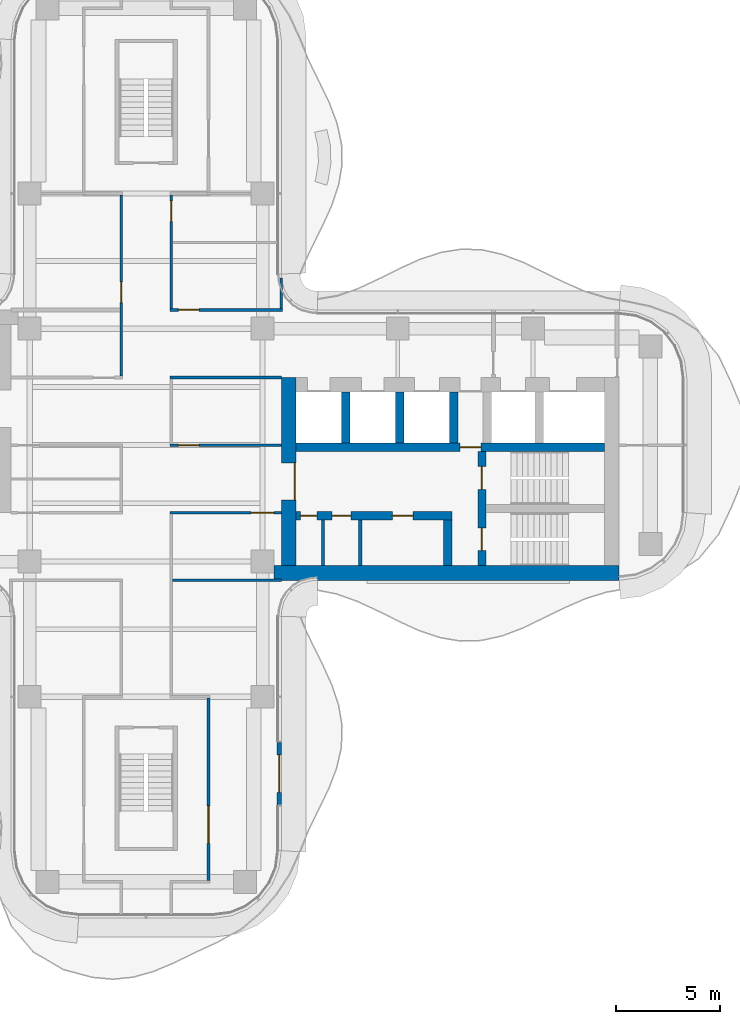
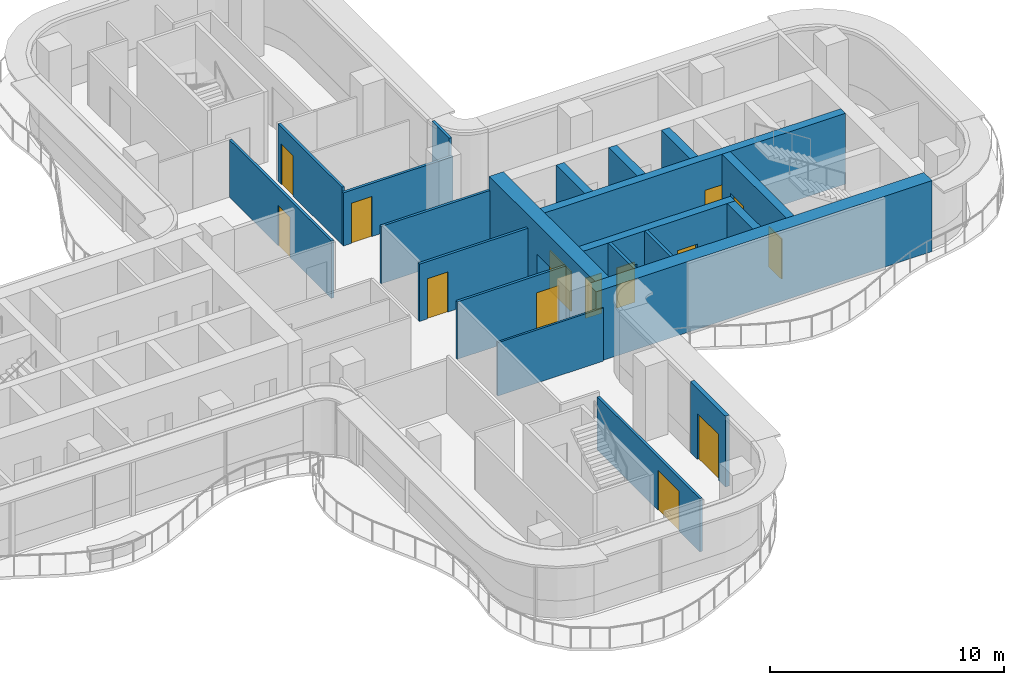
# One storey, part 12 of 16: 21 walls, 14 doors, 14 openings.
"""IFC4 building model written with IfcOpenShell, lengths in metres."""

import ifcopenshell
import ifcopenshell.guid

model = None  # the IFC model being written
_history = None  # IfcOwnerHistory: only IFC2X3 demands one
_inside = {}  # id of a spatial element -> (the spatial element, [elements in it])
_under = {}  # id of a project, library or spatial element -> (it, [spatial elements below it])
_declared = {}  # id of a project -> (the project, [libraries it declares])
_typed = {}  # id of a type object -> (the type object, [elements of that type])
_made_of = {}  # id of a material, layer set ... -> (it, [elements and type objects made of it])


def new_model(schema):
    """Start an empty IFC model of exactly this schema.

    Asked for "IFC4X3", IfcOpenShell would pick the latest addendum, in which some entities
    have other attributes; the version numbers below select the first issue.
    IFC2X3 requires an IfcOwnerHistory on every rooted entity: one is made here for all.
    """
    global model, _history
    if schema == "IFC4X3":
        model = ifcopenshell.file(schema_version=(4, 3, 0, 0))
    else:
        model = ifcopenshell.file(schema=schema)
    _inside.clear()
    _under.clear()
    _declared.clear()
    _typed.clear()
    _made_of.clear()
    _history = None
    if model.schema == "IFC2X3":
        org = make("IfcOrganization", Name="unknown")
        user = make(
            "IfcPersonAndOrganization",
            ThePerson=make("IfcPerson", FamilyName="unknown"),
            TheOrganization=org,
        )
        app = make(
            "IfcApplication",
            ApplicationDeveloper=org,
            Version="unknown",
            ApplicationFullName="unknown",
            ApplicationIdentifier="unknown",
        )
        _history = make(
            "IfcOwnerHistory",
            OwningUser=user,
            OwningApplication=app,
            ChangeAction="ADDED",
            CreationDate=0,
        )
    return model


def make(cls, **values):
    """One entity of the class cls with the attributes given. An attribute that is None is left unset."""
    return model.create_entity(
        cls, **{name: value for name, value in values.items() if value is not None}
    )


def rooted(cls, **values):
    """An entity with a GlobalId (a new one), such as an element, a storey or a relation."""
    return make(cls, GlobalId=ifcopenshell.guid.new(), OwnerHistory=_history, **values)


def si_unit(unit_type, name, prefix=None):
    """IfcSIUnit, for example si_unit("LENGTHUNIT", "METRE", prefix="MILLI")."""
    return make("IfcSIUnit", UnitType=unit_type, Prefix=prefix, Name=name)


def assignment(units):
    """IfcUnitAssignment: the units of a project."""
    return None if units is None else make("IfcUnitAssignment", Units=units)


def point(xyz):
    """IfcCartesianPoint."""
    return None if xyz is None else make("IfcCartesianPoint", Coordinates=xyz)


def direction(xyz):
    """IfcDirection."""
    return None if xyz is None else make("IfcDirection", DirectionRatios=xyz)


def frame(location, z_axis=None, x_axis=None):
    """IfcAxis2Placement3D, a coordinate frame: its origin and axes. An axis left out is left unset."""
    return make(
        "IfcAxis2Placement3D",
        Location=point(location),
        Axis=direction(z_axis),
        RefDirection=direction(x_axis),
    )


def frame_2d(location, x_axis=None):
    """IfcAxis2Placement2D, a coordinate frame in the plane: its origin and x axis."""
    return make(
        "IfcAxis2Placement2D", Location=point(location), RefDirection=direction(x_axis)
    )


def origin():
    """The frame at (0, 0, 0) with its axes left unset."""
    return frame((0.0, 0.0, 0.0))


def place(relative_to, where):
    """IfcLocalPlacement: puts the frame where relative to a parent placement (None: the world)."""
    return make(
        "IfcLocalPlacement", PlacementRelTo=relative_to, RelativePlacement=where
    )


def context(
    kind, dimensions, precision=None, world=None, true_north=None, identifier=None
):
    """IfcGeometricRepresentationContext, for example the 3D "Model" context."""
    return make(
        "IfcGeometricRepresentationContext",
        ContextIdentifier=identifier,
        ContextType=kind,
        CoordinateSpaceDimension=dimensions,
        Precision=precision,
        WorldCoordinateSystem=world,
        TrueNorth=true_north,
    )


def subcontext(parent, identifier, kind, view, scale=None):
    """IfcGeometricRepresentationSubContext, for example "Body" below "Model"."""
    return make(
        "IfcGeometricRepresentationSubContext",
        ContextIdentifier=identifier,
        ContextType=kind,
        ParentContext=parent,
        TargetScale=scale,
        TargetView=view,
    )


def project(units=None, contexts=None):
    """IfcProject with its units and contexts."""
    return rooted(
        "IfcProject",
        Name="project",
        RepresentationContexts=contexts,
        UnitsInContext=assignment(units),
    )


def spatial(cls, under=None, at=None, **own):
    """A site, building, storey or space (cls), placed at a placement, below another one or the project."""
    s = rooted(cls, ObjectPlacement=at, **own)
    if under is not None:
        _under.setdefault(under.id(), (under, []))[1].append(s)
    return s


def profile(cls, at=None, kind="AREA", **sizes):
    """A parametric profile (cls). Its sizes go by their IFC names, for example OverallWidth=200.0."""
    return make(cls, ProfileType=kind, Position=at, **sizes)


def rectangle(**sizes):
    """IfcRectangleProfileDef."""
    return profile("IfcRectangleProfileDef", **sizes)


def extrude(swept, where, along, depth):
    """IfcExtrudedAreaSolid: the profile swept, set in the frame where, extruded along a direction by depth."""
    return make(
        "IfcExtrudedAreaSolid",
        SweptArea=swept,
        Position=where,
        ExtrudedDirection=direction(along),
        Depth=depth,
    )


def shape(context_of_items, identifier, shape_type, items):
    """IfcShapeRepresentation: the items that make up one representation, for example the "Body"."""
    return make(
        "IfcShapeRepresentation",
        ContextOfItems=context_of_items,
        RepresentationIdentifier=identifier,
        RepresentationType=shape_type,
        Items=items,
    )


def source(mapping_origin, context_of_items, identifier, shape_type, items):
    """IfcRepresentationMap: a shape defined once, which mapped items show again and again."""
    return make(
        "IfcRepresentationMap",
        MappingOrigin=mapping_origin,
        MappedRepresentation=shape(context_of_items, identifier, shape_type, items),
    )


def transform(
    local_origin,
    x_axis=None,
    y_axis=None,
    z_axis=None,
    scale=None,
    scale2=None,
    scale3=None,
    uniform=True,
):
    """IfcCartesianTransformationOperator3D, or its non-uniform kind. x_axis, y_axis, z_axis: its Axis1, 2, 3."""
    if uniform:
        return make(
            "IfcCartesianTransformationOperator3D",
            Axis1=direction(x_axis),
            Axis2=direction(y_axis),
            LocalOrigin=point(local_origin),
            Scale=scale,
            Axis3=direction(z_axis),
        )
    return make(
        "IfcCartesianTransformationOperator3DnonUniform",
        Axis1=direction(x_axis),
        Axis2=direction(y_axis),
        LocalOrigin=point(local_origin),
        Scale=scale,
        Axis3=direction(z_axis),
        Scale2=scale2,
        Scale3=scale3,
    )


def mapped(mapping_source, mapping_target):
    """IfcMappedItem: shows the shape of a source again, moved by a transform."""
    return make(
        "IfcMappedItem", MappingSource=mapping_source, MappingTarget=mapping_target
    )


def material(Name=None, Category=None):
    """IfcMaterial."""
    return make("IfcMaterial", Name=Name, Category=Category)


def layer(
    of_material, thickness, ventilated=None, Name=None, Category=None, Priority=None
):
    """IfcMaterialLayer: one layer of a wall or slab, of a material (None: an air gap)."""
    return make(
        "IfcMaterialLayer",
        Material=of_material,
        LayerThickness=thickness,
        IsVentilated=ventilated,
        Name=Name,
        Category=Category,
        Priority=Priority,
    )


def layer_set(layers, Name=None):
    """IfcMaterialLayerSet."""
    return make("IfcMaterialLayerSet", MaterialLayers=layers, LayerSetName=Name)


def made_of(thing, what):
    """Note that an element or type object is made of a material, layer set ...; save() writes the relation."""
    if what is not None:
        _made_of.setdefault(what.id(), (what, []))[1].append(thing)
    return thing


def type_object(cls, material=None, **own):
    """A type object (cls), such as IfcWallType, which elements share."""
    return made_of(rooted(cls, **own), material)


def element(
    cls,
    number,
    at=None,
    inside=None,
    cuts=None,
    type_object=None,
    material=None,
    context=None,
    identifier="Body",
    shape_type=None,
    held_by="IfcProductDefinitionShape",
    body=None,
    shapes=None,
    **own,
):
    """One element of the class cls, such as IfcWall. Its Tag is "e" and its number.

    at: its placement. inside: the storey or other place that contains it. cuts: it is an
    opening in that element (IfcRelVoidsElement). A single representation is given by context,
    identifier, shape_type and body (its items); several are given by shapes. held_by: the class
    of the entity that holds the representations. save() writes the other relations.
    """
    e = rooted(cls, Tag="e%d" % number, ObjectPlacement=at, **own)
    if body is not None:
        shapes = [shape(context, identifier, shape_type, body)]
    if shapes is not None:
        e.Representation = make(held_by, Representations=shapes)
    if inside is not None:
        _inside.setdefault(inside.id(), (inside, []))[1].append(e)
    if cuts is not None:
        rooted(
            "IfcRelVoidsElement", RelatingBuildingElement=cuts, RelatedOpeningElement=e
        )
    if type_object is not None:
        _typed.setdefault(type_object.id(), (type_object, []))[1].append(e)
    return made_of(e, material)


def fill(opening, filler):
    """IfcRelFillsElement: the door or window that sits in an opening."""
    return rooted(
        "IfcRelFillsElement",
        RelatingOpeningElement=opening,
        RelatedBuildingElement=filler,
    )


def aggregate(whole, parts):
    """IfcRelAggregates: a whole, such as a stair, and the parts it consists of."""
    return rooted("IfcRelAggregates", RelatingObject=whole, RelatedObjects=parts)


def save(model, path):
    """Write the relations noted so far, then the file.

    IfcRelAggregates (storeys below a building ...), IfcRelContainedInSpatialStructure (elements
    in a storey), IfcRelDefinesByType, IfcRelAssociatesMaterial and IfcRelDeclares: one each for
    every whole, place, type object, material and project.
    """
    for whole, parts in _under.values():
        aggregate(whole, parts)
    for where, things in _inside.values():
        rooted(
            "IfcRelContainedInSpatialStructure",
            RelatedElements=things,
            RelatingStructure=where,
        )
    for kind, things in _typed.values():
        rooted("IfcRelDefinesByType", RelatedObjects=things, RelatingType=kind)
    for what, things in _made_of.values():
        rooted("IfcRelAssociatesMaterial", RelatedObjects=things, RelatingMaterial=what)
    for by, libraries in _declared.values():
        rooted("IfcRelDeclares", RelatingContext=by, RelatedDefinitions=libraries)
    model.write(path)


model = new_model("IFC4")

# Units and contexts
model_context = context("Model", 3, precision=1e-05, world=origin(), true_north=direction((0.0, 1.0)))
body_context = subcontext(model_context, "Body", "Model", "MODEL_VIEW")
ifc_project = project(units=[si_unit("LENGTHUNIT", "METRE"), si_unit("AREAUNIT", "SQUARE_METRE"), si_unit("VOLUMEUNIT", "CUBIC_METRE"), si_unit("PLANEANGLEUNIT", "RADIAN"), si_unit("MASSUNIT", "GRAM", prefix="KILO")], contexts=[model_context])

# Site, building, storey
site_placement = place(None, origin())
site = spatial("IfcSite", under=ifc_project, at=site_placement, CompositionType="ELEMENT")
building_placement = place(site_placement, origin())
building = spatial("IfcBuilding", under=site, at=building_placement, Name="Trellis Farm Tower", CompositionType="ELEMENT")
storey_placement = place(building_placement, frame((0.0, 0.0, 251.89990234375)))
storey = spatial("IfcBuildingStorey", under=building, at=storey_placement, Name="L56", CompositionType="ELEMENT", Elevation=251.89990234375)

# Wall, opening, door
ifc_material_1 = material(Name="Concrete C60/75", Category="concrete")
ifc_layer_1 = layer(ifc_material_1, 0.699951171875)
ifc_layer_set_1 = layer_set([ifc_layer_1], Name="CORE OUTER WALL 700 CONCRETE C60/75")
wall_type_1 = type_object("IfcWallType", Name="CORE OUTER WALL 700 CONCRETE C60/75", PredefinedType="SHEAR", material=ifc_layer_set_1)
shared_shape_1 = source(origin(), body_context, "Body", "SweptSolid", [
    extrude(rectangle(XDim=9.050048828125, YDim=0.699951171875, at=frame_2d((4.52490234375, 0.0))), origin(), (0.0, 0.0, 1.0), 3.7001953125),
])
wall_1_placement = place(storey_placement, frame((6.85009765625, -5.800048828125, 0.0), z_axis=(0.0, 0.0, 1.0), x_axis=(0.0, 1.0, 0.0)))
wall_1 = element("IfcWall", 1, at=wall_1_placement, inside=storey, type_object=wall_type_1, Name="Core wall", PredefinedType="SHEAR", context=body_context, shape_type="MappedRepresentation", body=[
    mapped(shared_shape_1, transform((0.0, 0.0, 0.0))),
])
shared_shape_2 = source(origin(), body_context, "Body", "SweptSolid", [
    extrude(rectangle(XDim=1.800048828125, YDim=2.10009765625, at=frame_2d((0.89990234375, 1.050048828125))), frame((0.0, 0.360107421875, 0.0), z_axis=(0.0, -1.0, 0.0), x_axis=(1.0, 0.0, 0.0)), (0.0, 0.0, 1.0), 0.72021484375),
])
opening_1_placement = place(wall_1_placement, frame((3.14990234375, 0.0, 0.0)))
opening_1 = element("IfcOpeningElement", 2, at=opening_1_placement, cuts=wall_1, Name="Opening DC1", PredefinedType="OPENING", context=body_context, shape_type="MappedRepresentation", body=[
    mapped(shared_shape_2, transform((0.0, 0.0, 0.0))),
])
ifc_material_2 = material(Name="Steel", Category="steel")
door_type_1 = type_object("IfcDoorType", Name="CORE FIRE DOOR DOUBLE 1800 X 2100", OperationType="DOUBLE_DOOR_SINGLE_SWING", PredefinedType="DOOR", material=ifc_material_2)
shared_shape_3 = source(origin(), body_context, "Body", "SweptSolid", [
    extrude(rectangle(XDim=1.800048828125, YDim=2.10009765625, at=frame_2d((0.89990234375, 1.050048828125))), frame((0.0, -0.27490234375, 0.0), z_axis=(0.0, -1.0, 0.0), x_axis=(1.0, 0.0, 0.0)), (0.0, 0.0, 1.0), 0.050048828125),
])
door_1_placement = place(opening_1_placement, origin())
door_1 = element("IfcDoor", 3, at=door_1_placement, inside=storey, type_object=door_type_1, Name="Core door", OperationType="DOUBLE_DOOR_SINGLE_SWING", OverallHeight=2.10009765625, OverallWidth=1.800048828125, PredefinedType="DOOR", context=body_context, shape_type="MappedRepresentation", body=[
    mapped(shared_shape_3, transform((0.0, 0.0, 0.0))),
])
fill(opening_1, door_1)

# Walls
ifc_layer_2 = layer(ifc_material_1, 0.39990234375)
ifc_layer_set_2 = layer_set([ifc_layer_2], Name="CORE INNER WALL 400 CONCRETE C60/75")
wall_type_2 = type_object("IfcWallType", Name="CORE INNER WALL 400 CONCRETE C60/75", PredefinedType="SHEAR", material=ifc_layer_set_2)
shared_shape_4 = source(origin(), body_context, "Body", "SweptSolid", [
    extrude(rectangle(XDim=2.449951171875, YDim=0.39990234375, at=frame_2d((1.22509765625, 0.0))), origin(), (0.0, 0.0, 1.0), 3.7001953125),
])
for number, where, z_axis, x_axis, name in (
    (4, (9.60009765625, 0.10009765625, 0.0), (0.0, 0.0, 1.0), (0.0, 1.0, 0.0), "Core wall"),
    (5, (12.199951171875, 0.10009765625, 0.0), (0.0, 0.0, 1.0), (0.0, 1.0, 0.0), "Core wall"),
    (6, (14.800048828125, 0.10009765625, 0.0), (0.0, 0.0, 1.0), (0.0, 1.0, 0.0), "Core wall"),
):
    element("IfcWall", number, at=place(storey_placement, frame(where, z_axis=z_axis, x_axis=x_axis)), inside=storey, type_object=wall_type_2, Name=name, PredefinedType="SHEAR", context=body_context, shape_type="MappedRepresentation", body=[
        mapped(shared_shape_4, transform((0.0, 0.0, 0.0))),
    ])

# Wall, openings, doors
shared_shape_5 = source(origin(), body_context, "Body", "SweptSolid", [
    extrude(rectangle(XDim=7.5, YDim=0.39990234375, at=frame_2d((3.75, 0.0))), origin(), (0.0, 0.0, 1.0), 3.7001953125),
])
wall_2_placement = place(storey_placement, frame((7.199951171875, -3.39990234375, 0.0), z_axis=(0.0, 0.0, 1.0), x_axis=(1.0, 0.0, 0.0)))
wall_2 = element("IfcWall", 7, at=wall_2_placement, inside=storey, type_object=wall_type_2, Name="Core wall", PredefinedType="SHEAR", context=body_context, shape_type="MappedRepresentation", body=[
    mapped(shared_shape_5, transform((0.0, 0.0, 0.0))),
])
shared_shape_6 = source(origin(), body_context, "Body", "SweptSolid", [
    extrude(rectangle(XDim=0.800048828125, YDim=2.10009765625, at=frame_2d((0.39990234375, 1.050048828125))), frame((0.0, 0.2099609375, 0.0), z_axis=(0.0, -1.0, 0.0), x_axis=(1.0, 0.0, 0.0)), (0.0, 0.0, 1.0), 0.419921875),
])
opening_2_placement = place(wall_2_placement, frame((0.21240234375, 0.0, 0.0)))
opening_2 = element("IfcOpeningElement", 8, at=opening_2_placement, cuts=wall_2, Name="Opening DC51", PredefinedType="OPENING", context=body_context, shape_type="MappedRepresentation", body=[
    mapped(shared_shape_6, transform((0.0, 0.0, 0.0))),
])
shared_shape_7 = source(origin(), body_context, "Body", "SweptSolid", [
    extrude(rectangle(XDim=0.89990234375, YDim=2.10009765625, at=frame_2d((0.449951171875, 1.050048828125))), frame((0.0, 0.2099609375, 0.0), z_axis=(0.0, -1.0, 0.0), x_axis=(1.0, 0.0, 0.0)), (0.0, 0.0, 1.0), 0.419921875),
])
opening_3_placement = place(wall_2_placement, frame((1.75, 0.0, 0.0)))
opening_3 = element("IfcOpeningElement", 9, at=opening_3_placement, cuts=wall_2, Name="Opening DC60", PredefinedType="OPENING", context=body_context, shape_type="MappedRepresentation", body=[
    mapped(shared_shape_7, transform((0.0, 0.0, 0.0))),
])
shared_shape_8 = source(origin(), body_context, "Body", "SweptSolid", [
    extrude(rectangle(XDim=1.0, YDim=2.10009765625, at=frame_2d((0.5, 1.050048828125))), frame((0.0, 0.2099609375, 0.0), z_axis=(0.0, -1.0, 0.0), x_axis=(1.0, 0.0, 0.0)), (0.0, 0.0, 1.0), 0.419921875),
])
opening_4_placement = place(wall_2_placement, frame((4.637451171875, 0.0, 0.0)))
opening_4 = element("IfcOpeningElement", 10, at=opening_4_placement, cuts=wall_2, Name="Opening DC67", PredefinedType="OPENING", context=body_context, shape_type="MappedRepresentation", body=[
    mapped(shared_shape_8, transform((0.0, 0.0, 0.0))),
])
door_type_2 = type_object("IfcDoorType", Name="CORE FIRE DOOR 1000 X 2100", OperationType="NOTDEFINED", PredefinedType="DOOR", material=ifc_material_2)
shared_shape_9 = source(origin(), body_context, "Body", "SweptSolid", [
    extrude(rectangle(XDim=1.0, YDim=2.10009765625, at=frame_2d((0.5, 1.050048828125))), frame((0.0, 0.02490234375, 0.0), z_axis=(0.0, -1.0, 0.0), x_axis=(1.0, 0.0, 0.0)), (0.0, 0.0, 1.0), 0.050048828125),
])
door_2_placement = place(opening_4_placement, origin())
door_2 = element("IfcDoor", 11, at=door_2_placement, inside=storey, type_object=door_type_2, Name="Core door", OperationType="SINGLE_SWING_LEFT", OverallHeight=2.10009765625, OverallWidth=1.0, PredefinedType="DOOR", context=body_context, shape_type="MappedRepresentation", body=[
    mapped(shared_shape_9, transform((0.0, 0.0, 0.0))),
])
fill(opening_4, door_2)
door_type_3 = type_object("IfcDoorType", Name="CORE FIRE DOOR 900 X 2100", OperationType="NOTDEFINED", PredefinedType="DOOR", material=ifc_material_2)
shared_shape_10 = source(origin(), body_context, "Body", "SweptSolid", [
    extrude(rectangle(XDim=0.89990234375, YDim=2.10009765625, at=frame_2d((0.449951171875, 1.050048828125))), frame((0.0, 0.02490234375, 0.0), z_axis=(0.0, -1.0, 0.0), x_axis=(1.0, 0.0, 0.0)), (0.0, 0.0, 1.0), 0.050048828125),
])
door_3_placement = place(opening_3_placement, origin())
door_3 = element("IfcDoor", 12, at=door_3_placement, inside=storey, type_object=door_type_3, Name="Core door", OperationType="SINGLE_SWING_RIGHT", OverallHeight=2.10009765625, OverallWidth=0.89990234375, PredefinedType="DOOR", context=body_context, shape_type="MappedRepresentation", body=[
    mapped(shared_shape_10, transform((0.0, 0.0, 0.0))),
])
fill(opening_3, door_3)
door_type_4 = type_object("IfcDoorType", Name="CORE FIRE DOOR 800 X 2100", OperationType="NOTDEFINED", PredefinedType="DOOR", material=ifc_material_2)
shared_shape_11 = source(origin(), body_context, "Body", "SweptSolid", [
    extrude(rectangle(XDim=0.800048828125, YDim=2.10009765625, at=frame_2d((0.39990234375, 1.050048828125))), frame((0.0, 0.02490234375, 0.0), z_axis=(0.0, -1.0, 0.0), x_axis=(1.0, 0.0, 0.0)), (0.0, 0.0, 1.0), 0.050048828125),
])
door_4_placement = place(opening_2_placement, origin())
door_4 = element("IfcDoor", 13, at=door_4_placement, inside=storey, type_object=door_type_4, Name="Core door", OperationType="SINGLE_SWING_LEFT", OverallHeight=2.10009765625, OverallWidth=0.800048828125, PredefinedType="DOOR", context=body_context, shape_type="MappedRepresentation", body=[
    mapped(shared_shape_11, transform((0.0, 0.0, 0.0))),
])
fill(opening_2, door_4)

# Wall, opening, door
shared_shape_12 = source(origin(), body_context, "Body", "SweptSolid", [
    extrude(rectangle(XDim=14.85009765625, YDim=0.39990234375, at=frame_2d((7.425048828125, 0.0))), origin(), (0.0, 0.0, 1.0), 3.7001953125),
])
wall_3_placement = place(storey_placement, frame((7.199951171875, -0.10009765625, 0.0), z_axis=(0.0, 0.0, 1.0), x_axis=(1.0, 0.0, 0.0)))
wall_3 = element("IfcWall", 14, at=wall_3_placement, inside=storey, type_object=wall_type_2, Name="Core wall", PredefinedType="SHEAR", context=body_context, shape_type="MappedRepresentation", body=[
    mapped(shared_shape_12, transform((0.0, 0.0, 0.0))),
])
opening_5_placement = place(wall_3_placement, frame((7.89990234375, 0.0, 0.0)))
opening_5 = element("IfcOpeningElement", 15, at=opening_5_placement, cuts=wall_3, Name="Opening DC5", PredefinedType="OPENING", context=body_context, shape_type="MappedRepresentation", body=[
    mapped(shared_shape_8, transform((0.0, 0.0, 0.0))),
])
door_5_placement = place(opening_5_placement, origin())
door_5 = element("IfcDoor", 16, at=door_5_placement, inside=storey, type_object=door_type_2, Name="Core door", OperationType="SINGLE_SWING_RIGHT", OverallHeight=2.10009765625, OverallWidth=1.0, PredefinedType="DOOR", context=body_context, shape_type="MappedRepresentation", body=[
    mapped(shared_shape_9, transform((0.0, 0.0, 0.0))),
])
fill(opening_5, door_5)

# Wall, openings, doors
shared_shape_13 = source(origin(), body_context, "Body", "SweptSolid", [
    extrude(rectangle(XDim=5.5, YDim=0.39990234375, at=frame_2d((2.75, 0.0))), origin(), (0.0, 0.0, 1.0), 3.7001953125),
])
wall_4_placement = place(storey_placement, frame((16.14990234375, -5.800048828125, 0.0), z_axis=(0.0, 0.0, 1.0), x_axis=(0.0, 1.0, 0.0)))
wall_4 = element("IfcWall", 17, at=wall_4_placement, inside=storey, type_object=wall_type_2, Name="Core wall", PredefinedType="SHEAR", context=body_context, shape_type="MappedRepresentation", body=[
    mapped(shared_shape_13, transform((0.0, 0.0, 0.0))),
])
shared_shape_14 = source(origin(), body_context, "Body", "SweptSolid", [
    extrude(rectangle(XDim=1.10009765625, YDim=2.10009765625, at=frame_2d((0.550048828125, 1.050048828125))), frame((0.0, 0.2099609375, 0.0), z_axis=(0.0, -1.0, 0.0), x_axis=(1.0, 0.0, 0.0)), (0.0, 0.0, 1.0), 0.419921875),
])
opening_6_placement = place(wall_4_placement, frame((0.72509765625, 0.0, 0.0)))
opening_6 = element("IfcOpeningElement", 18, at=opening_6_placement, cuts=wall_4, Name="Opening DC2", PredefinedType="OPENING", context=body_context, shape_type="MappedRepresentation", body=[
    mapped(shared_shape_14, transform((0.0, 0.0, 0.0))),
])
opening_7_placement = place(wall_4_placement, frame((3.675048828125, 0.0, 0.0)))
opening_7 = element("IfcOpeningElement", 19, at=opening_7_placement, cuts=wall_4, Name="Opening DC3", PredefinedType="OPENING", context=body_context, shape_type="MappedRepresentation", body=[
    mapped(shared_shape_14, transform((0.0, 0.0, 0.0))),
])
door_type_5 = type_object("IfcDoorType", Name="CORE FIRE DOOR 1100 X 2100", OperationType="NOTDEFINED", PredefinedType="DOOR", material=ifc_material_2)
shared_shape_15 = source(origin(), body_context, "Body", "SweptSolid", [
    extrude(rectangle(XDim=1.10009765625, YDim=2.10009765625, at=frame_2d((0.550048828125, 1.050048828125))), frame((0.0, 0.02490234375, 0.0), z_axis=(0.0, -1.0, 0.0), x_axis=(1.0, 0.0, 0.0)), (0.0, 0.0, 1.0), 0.050048828125),
])
door_6_placement = place(opening_6_placement, origin())
door_6 = element("IfcDoor", 20, at=door_6_placement, inside=storey, type_object=door_type_5, Name="Core door", OperationType="SINGLE_SWING_RIGHT", OverallHeight=2.10009765625, OverallWidth=1.10009765625, PredefinedType="DOOR", context=body_context, shape_type="MappedRepresentation", body=[
    mapped(shared_shape_15, transform((0.0, 0.0, 0.0))),
])
fill(opening_6, door_6)
door_7_placement = place(opening_7_placement, origin())
door_7 = element("IfcDoor", 21, at=door_7_placement, inside=storey, type_object=door_type_5, Name="Core door", OperationType="SINGLE_SWING_LEFT", OverallHeight=2.10009765625, OverallWidth=1.10009765625, PredefinedType="DOOR", context=body_context, shape_type="MappedRepresentation", body=[
    mapped(shared_shape_15, transform((0.0, 0.0, 0.0))),
])
fill(opening_7, door_7)

# Walls
shared_shape_16 = source(origin(), body_context, "Body", "SweptSolid", [
    extrude(rectangle(XDim=2.199951171875, YDim=0.39990234375, at=frame_2d((1.10009765625, 0.0))), origin(), (0.0, 0.0, 1.0), 3.7001953125),
])
wall_5_placement = place(storey_placement, frame((14.5, -5.800048828125, 0.0), z_axis=(0.0, 0.0, 1.0), x_axis=(0.0, 1.0, 0.0)))
element("IfcWall", 22, at=wall_5_placement, inside=storey, type_object=wall_type_2, Name="Core wall", PredefinedType="SHEAR", context=body_context, shape_type="MappedRepresentation", body=[
    mapped(shared_shape_16, transform((0.0, 0.0, 0.0))),
])
ifc_material_3 = material(Name="Masonry blockwork", Category="masonry")
ifc_layer_3 = layer(ifc_material_3, 0.14990234375)
ifc_layer_set_3 = layer_set([ifc_layer_3], Name="CORE PARTITION 150 BLOCKWORK")
wall_type_3 = type_object("IfcWallType", Name="CORE PARTITION 150 BLOCKWORK", PredefinedType="PARTITIONING", material=ifc_layer_set_3)
shared_shape_17 = source(origin(), body_context, "Body", "SweptSolid", [
    extrude(rectangle(XDim=2.199951171875, YDim=0.14990234375, at=frame_2d((1.10009765625, 0.0))), origin(), (0.0, 0.0, 1.0), 3.7001953125),
])
for number, where, z_axis, x_axis, name in (
    (23, (8.5, -5.800048828125, 0.0), (0.0, 0.0, 1.0), (0.0, 1.0, 0.0), "Core room partition"),
    (24, (10.300048828125, -5.800048828125, 0.0), (0.0, 0.0, 1.0), (0.0, 1.0, 0.0), "Core room partition"),
):
    element("IfcWall", number, at=place(storey_placement, frame(where, z_axis=z_axis, x_axis=x_axis)), inside=storey, type_object=wall_type_3, Name=name, PredefinedType="PARTITIONING", context=body_context, shape_type="MappedRepresentation", body=[
        mapped(shared_shape_17, transform((0.0, 0.0, 0.0))),
    ])
shared_shape_18 = source(origin(), body_context, "Body", "SweptSolid", [
    extrude(rectangle(XDim=16.60009765625, YDim=0.699951171875, at=frame_2d((8.300048828125, 0.0))), origin(), (0.0, 0.0, 1.0), 3.7001953125),
])
wall_6_placement = place(storey_placement, frame((6.14990234375, -6.14990234375, 0.0), z_axis=(0.0, 0.0, 1.0), x_axis=(1.0, 0.0, 0.0)))
element("IfcWall", 25, at=wall_6_placement, inside=storey, type_object=wall_type_1, Name="Core wall", PredefinedType="SHEAR", context=body_context, shape_type="MappedRepresentation", body=[
    mapped(shared_shape_18, transform((0.0, 0.0, 0.0))),
])

# Wall, opening, door
ifc_material_4 = material(Name="Sandstone faced insulated wall", Category="masonry")
ifc_layer_4 = layer(ifc_material_4, 0.199951171875)
ifc_layer_set_4 = layer_set([ifc_layer_4], Name="EXTERNAL INFILL WALL 200")
wall_type_4 = type_object("IfcWallType", Name="EXTERNAL INFILL WALL 200", PredefinedType="SOLIDWALL", material=ifc_layer_set_4)
shared_shape_19 = source(origin(), body_context, "Body", "SweptSolid", [
    extrude(rectangle(XDim=3.0, YDim=0.199951171875, at=frame_2d((1.5, 0.0))), origin(), (0.0, 0.0, 1.0), 3.7001953125),
])
wall_7_placement = place(storey_placement, frame((6.39990234375, -17.300048828125, 0.0), z_axis=(0.0, 0.0, 1.0), x_axis=(0.0, 1.0, 0.0)))
wall_7 = element("IfcWall", 26, at=wall_7_placement, inside=storey, type_object=wall_type_4, Name="EW1 01", PredefinedType="SOLIDWALL", context=body_context, shape_type="MappedRepresentation", body=[
    mapped(shared_shape_19, transform((0.0, 0.0, 0.0))),
])
shared_shape_20 = source(origin(), body_context, "Body", "SweptSolid", [
    extrude(rectangle(XDim=1.800048828125, YDim=2.39990234375, at=frame_2d((0.89990234375, 1.199951171875))), frame((0.0, 0.110107421875, 0.0), z_axis=(0.0, -1.0, 0.0), x_axis=(1.0, 0.0, 0.0)), (0.0, 0.0, 1.0), 0.22021484375),
])
opening_8_placement = place(wall_7_placement, frame((0.60009765625, 0.0, 0.0)))
opening_8 = element("IfcOpeningElement", 27, at=opening_8_placement, cuts=wall_7, Name="Opening ED1", PredefinedType="OPENING", context=body_context, shape_type="MappedRepresentation", body=[
    mapped(shared_shape_20, transform((0.0, 0.0, 0.0))),
])
ifc_material_5 = material(Name="Aluminium framed glazed door", Category="aluminium")
door_type_6 = type_object("IfcDoorType", Name="BALCONY DOOR 1800x2400", OperationType="DOUBLE_DOOR_SINGLE_SWING", PredefinedType="DOOR", material=ifc_material_5)
shared_shape_21 = source(origin(), body_context, "Body", "SweptSolid", [
    extrude(rectangle(XDim=1.800048828125, YDim=2.39990234375, at=frame_2d((0.89990234375, 1.199951171875))), frame((0.0, 0.02490234375, 0.0), z_axis=(0.0, -1.0, 0.0), x_axis=(1.0, 0.0, 0.0)), (0.0, 0.0, 1.0), 0.050048828125),
])
door_8_placement = place(opening_8_placement, origin())
door_8 = element("IfcDoor", 28, at=door_8_placement, inside=storey, type_object=door_type_6, Name="Balcony door", OperationType="DOUBLE_DOOR_SINGLE_SWING", OverallHeight=2.39990234375, OverallWidth=1.800048828125, PredefinedType="DOOR", context=body_context, shape_type="MappedRepresentation", body=[
    mapped(shared_shape_21, transform((0.0, 0.0, 0.0))),
])
fill(opening_8, door_8)

ifc_material_6 = material(Name="Plasterboard on steel studs, mineral wool", Category="steel")
ifc_layer_5 = layer(ifc_material_6, 0.125)
ifc_layer_set_5 = layer_set([ifc_layer_5], Name="PARTITION 125 STUD EI 60")
wall_type_5 = type_object("IfcWallType", Name="PARTITION 125 STUD EI 60", PredefinedType="PARTITIONING", material=ifc_layer_set_5)
shared_shape_22 = source(origin(), body_context, "Body", "SweptSolid", [
    extrude(rectangle(XDim=5.47509765625, YDim=0.125, at=frame_2d((2.737548828125, 0.0))), origin(), (0.0, 0.0, 1.0), 2.99658203125),
])
wall_8_placement = place(storey_placement, frame((1.199951171875, 12.03759765625, 0.0), z_axis=(0.0, 0.0, 1.0), x_axis=(0.0, -1.0, 0.0)))
wall_8 = element("IfcWall", 29, at=wall_8_placement, inside=storey, type_object=wall_type_5, Name="Partition PW1", PredefinedType="PARTITIONING", context=body_context, shape_type="MappedRepresentation", body=[
    mapped(shared_shape_22, transform((0.0, 0.0, 0.0))),
])
shared_shape_23 = source(origin(), body_context, "Body", "SweptSolid", [
    extrude(rectangle(XDim=1.0, YDim=2.10009765625, at=frame_2d((0.5, 1.050048828125))), frame((0.0, 0.072509765625, 0.0), z_axis=(0.0, -1.0, 0.0), x_axis=(1.0, 0.0, 0.0)), (0.0, 0.0, 1.0), 0.14501953125),
])
opening_9_placement = place(wall_8_placement, frame((0.28759765625, 0.0, 0.0)))
opening_9 = element("IfcOpeningElement", 30, at=opening_9_placement, cuts=wall_8, Name="Opening D107", PredefinedType="OPENING", context=body_context, shape_type="MappedRepresentation", body=[
    mapped(shared_shape_23, transform((0.0, 0.0, 0.0))),
])
ifc_material_7 = material(Name="Fire-rated timber door leaf in a hollow metal frame", Category="wood")
door_type_7 = type_object("IfcDoorType", Name="DOOR 1000x2100 FD30S", OperationType="NOTDEFINED", PredefinedType="DOOR", material=ifc_material_7)
door_9_placement = place(opening_9_placement, origin())
door_9 = element("IfcDoor", 31, at=door_9_placement, inside=storey, type_object=door_type_7, Name="Door D107", OperationType="SINGLE_SWING_LEFT", OverallHeight=2.10009765625, OverallWidth=1.0, PredefinedType="DOOR", context=body_context, shape_type="MappedRepresentation", body=[
    mapped(shared_shape_9, transform((0.0, 0.0, 0.0))),
])
fill(opening_9, door_9)

shared_shape_24 = source(origin(), body_context, "Body", "SweptSolid", [
    extrude(rectangle(XDim=5.362548828125, YDim=0.125, at=frame_2d((2.68115234375, 0.0))), origin(), (0.0, 0.0, 1.0), 2.99658203125),
])
wall_9_placement = place(storey_placement, frame((6.5, -3.25, 0.0), z_axis=(0.0, 0.0, 1.0), x_axis=(-1.0, 0.0, 0.0)))
wall_9 = element("IfcWall", 32, at=wall_9_placement, inside=storey, type_object=wall_type_5, Name="Partition PW1", PredefinedType="PARTITIONING", context=body_context, shape_type="MappedRepresentation", body=[
    mapped(shared_shape_24, transform((0.0, 0.0, 0.0))),
])
shared_shape_25 = source(origin(), body_context, "Body", "SweptSolid", [
    extrude(rectangle(XDim=1.10009765625, YDim=2.10009765625, at=frame_2d((0.550048828125, 1.050048828125))), frame((0.0, 0.072509765625, 0.0), z_axis=(0.0, -1.0, 0.0), x_axis=(1.0, 0.0, 0.0)), (0.0, 0.0, 1.0), 0.14501953125),
])
opening_10_placement = place(wall_9_placement, frame((0.35009765625, 0.0, 0.0)))
opening_10 = element("IfcOpeningElement", 33, at=opening_10_placement, cuts=wall_9, Name="Opening D501", PredefinedType="OPENING", context=body_context, shape_type="MappedRepresentation", body=[
    mapped(shared_shape_25, transform((0.0, 0.0, 0.0))),
])
door_type_8 = type_object("IfcDoorType", Name="DOOR 1100x2100 FD30S", OperationType="NOTDEFINED", PredefinedType="DOOR", material=ifc_material_7)
door_10_placement = place(opening_10_placement, origin())
door_10 = element("IfcDoor", 34, at=door_10_placement, inside=storey, type_object=door_type_8, Name="Door D501", OperationType="SINGLE_SWING_LEFT", OverallHeight=2.10009765625, OverallWidth=1.10009765625, PredefinedType="DOOR", context=body_context, shape_type="MappedRepresentation", body=[
    mapped(shared_shape_15, transform((0.0, 0.0, 0.0))),
])
fill(opening_10, door_10)

wall_10_placement = place(storey_placement, frame((6.5, 0.0, 0.0), z_axis=(0.0, 0.0, 1.0), x_axis=(-1.0, 0.0, 0.0)))
wall_10 = element("IfcWall", 35, at=wall_10_placement, inside=storey, type_object=wall_type_5, Name="Partition PW1", PredefinedType="PARTITIONING", context=body_context, shape_type="MappedRepresentation", body=[
    mapped(shared_shape_24, transform((0.0, 0.0, 0.0))),
])
opening_11_placement = place(wall_10_placement, frame((3.949951171875, 0.0, 0.0)))
opening_11 = element("IfcOpeningElement", 36, at=opening_11_placement, cuts=wall_10, Name="Opening D103", PredefinedType="OPENING", context=body_context, shape_type="MappedRepresentation", body=[
    mapped(shared_shape_23, transform((0.0, 0.0, 0.0))),
])
door_11_placement = place(opening_11_placement, origin())
door_11 = element("IfcDoor", 37, at=door_11_placement, inside=storey, type_object=door_type_7, Name="Door D103", OperationType="SINGLE_SWING_RIGHT", OverallHeight=2.10009765625, OverallWidth=1.0, PredefinedType="DOOR", context=body_context, shape_type="MappedRepresentation", body=[
    mapped(shared_shape_9, transform((0.0, 0.0, 0.0))),
])
fill(opening_11, door_11)

# Walls
wall_11_placement = place(storey_placement, frame((1.137451171875, 3.25, 0.0), z_axis=(0.0, 0.0, 1.0), x_axis=(1.0, 0.0, 0.0)))
element("IfcWall", 38, at=wall_11_placement, inside=storey, type_object=wall_type_5, Name="Partition PW1", PredefinedType="PARTITIONING", context=body_context, shape_type="MappedRepresentation", body=[
    mapped(shared_shape_24, transform((0.0, 0.0, 0.0))),
])
shared_shape_26 = source(origin(), body_context, "Body", "SweptSolid", [
    extrude(rectangle(XDim=1.468994140625, YDim=0.125, at=frame_2d((0.734375, 0.0))), origin(), (0.0, 0.0, 1.0), 3.7001953125),
])
wall_12_placement = place(storey_placement, frame((6.5, 6.5625, 0.0), z_axis=(0.0, 0.0, 1.0), x_axis=(0.0, 1.0, 0.0)))
element("IfcWall", 39, at=wall_12_placement, inside=storey, type_object=wall_type_5, Name="Partition PW1", PredefinedType="PARTITIONING", context=body_context, shape_type="MappedRepresentation", body=[
    mapped(shared_shape_26, transform((0.0, 0.0, 0.0))),
])

# Wall, opening, door
shared_shape_27 = source(origin(), body_context, "Body", "SweptSolid", [
    extrude(rectangle(XDim=8.72509765625, YDim=0.125, at=frame_2d((4.362548828125, 0.0))), origin(), (0.0, 0.0, 1.0), 2.99658203125),
])
wall_13_placement = place(storey_placement, frame((-1.199951171875, 12.03759765625, 0.0), z_axis=(0.0, 0.0, 1.0), x_axis=(0.0, -1.0, 0.0)))
wall_13 = element("IfcWall", 40, at=wall_13_placement, inside=storey, type_object=wall_type_5, Name="Partition PW1", PredefinedType="PARTITIONING", context=body_context, shape_type="MappedRepresentation", body=[
    mapped(shared_shape_27, transform((0.0, 0.0, 0.0))),
])
opening_12_placement = place(wall_13_placement, frame((4.1875, 0.0, 0.0)))
opening_12 = element("IfcOpeningElement", 41, at=opening_12_placement, cuts=wall_13, Name="Opening D106", PredefinedType="OPENING", context=body_context, shape_type="MappedRepresentation", body=[
    mapped(shared_shape_23, transform((0.0, 0.0, 0.0))),
])
door_12_placement = place(opening_12_placement, origin())
door_12 = element("IfcDoor", 42, at=door_12_placement, inside=storey, type_object=door_type_7, Name="Door D106", OperationType="SINGLE_SWING_RIGHT", OverallHeight=2.10009765625, OverallWidth=1.0, PredefinedType="DOOR", context=body_context, shape_type="MappedRepresentation", body=[
    mapped(shared_shape_9, transform((0.0, 0.0, 0.0))),
])
fill(opening_12, door_12)

shared_shape_28 = source(origin(), body_context, "Body", "SweptSolid", [
    extrude(rectangle(XDim=5.425048828125, YDim=0.125, at=frame_2d((2.71240234375, 0.0))), origin(), (0.0, 0.0, 1.0), 2.780029296875),
])
wall_14_placement = place(storey_placement, frame((1.137451171875, 6.5, 0.0), z_axis=(0.0, 0.0, 1.0), x_axis=(1.0, 0.0, 0.0)))
wall_14 = element("IfcWall", 43, at=wall_14_placement, inside=storey, type_object=wall_type_5, Name="Partition PW1", PredefinedType="PARTITIONING", context=body_context, shape_type="MappedRepresentation", body=[
    mapped(shared_shape_28, transform((0.0, 0.0, 0.0))),
])
opening_13_placement = place(wall_14_placement, frame((0.41259765625, 0.0, 0.0)))
opening_13 = element("IfcOpeningElement", 44, at=opening_13_placement, cuts=wall_14, Name="Opening D105", PredefinedType="OPENING", context=body_context, shape_type="MappedRepresentation", body=[
    mapped(shared_shape_23, transform((0.0, 0.0, 0.0))),
])
door_13_placement = place(opening_13_placement, origin())
door_13 = element("IfcDoor", 45, at=door_13_placement, inside=storey, type_object=door_type_7, Name="Door D105", OperationType="SINGLE_SWING_LEFT", OverallHeight=2.10009765625, OverallWidth=1.0, PredefinedType="DOOR", context=body_context, shape_type="MappedRepresentation", body=[
    mapped(shared_shape_9, transform((0.0, 0.0, 0.0))),
])
fill(opening_13, door_13)

# Wall
ifc_material_8 = material(Name="Plasterboard on steel studs", Category="steel")
ifc_layer_6 = layer(ifc_material_8, 0.10009765625)
ifc_layer_set_6 = layer_set([ifc_layer_6], Name="PARTITION 100 STUD EI 30")
wall_type_6 = type_object("IfcWallType", Name="PARTITION 100 STUD EI 30", PredefinedType="PARTITIONING", material=ifc_layer_set_6)
shared_shape_29 = source(origin(), body_context, "Body", "SweptSolid", [
    extrude(rectangle(XDim=5.237548828125, YDim=0.10009765625, at=frame_2d((2.61865234375, 0.0))), origin(), (0.0, 0.0, 1.0), 2.780029296875),
])
wall_15_placement = place(storey_placement, frame((1.262451171875, -6.5, 0.0), z_axis=(0.0, 0.0, 1.0), x_axis=(1.0, 0.0, 0.0)))
element("IfcWall", 46, at=wall_15_placement, inside=storey, type_object=wall_type_6, Name="Partition PW2", PredefinedType="PARTITIONING", context=body_context, shape_type="MappedRepresentation", body=[
    mapped(shared_shape_29, transform((0.0, 0.0, 0.0))),
])

# Wall, opening, door
shared_shape_30 = source(origin(), body_context, "Body", "SweptSolid", [
    extrude(rectangle(XDim=8.77490234375, YDim=0.125, at=frame_2d((4.387451171875, 0.0))), origin(), (0.0, 0.0, 1.0), 2.780029296875),
])
wall_16_placement = place(storey_placement, frame((3.0, -12.16259765625, 0.0), z_axis=(0.0, 0.0, 1.0), x_axis=(0.0, -1.0, 0.0)))
wall_16 = element("IfcWall", 47, at=wall_16_placement, inside=storey, type_object=wall_type_5, Name="Partition PW1", PredefinedType="PARTITIONING", context=body_context, shape_type="MappedRepresentation", body=[
    mapped(shared_shape_30, transform((0.0, 0.0, 0.0))),
])
shared_shape_31 = source(origin(), body_context, "Body", "SweptSolid", [
    extrude(rectangle(XDim=1.800048828125, YDim=2.10009765625, at=frame_2d((0.89990234375, 1.050048828125))), frame((0.0, 0.072509765625, 0.0), z_axis=(0.0, -1.0, 0.0), x_axis=(1.0, 0.0, 0.0)), (0.0, 0.0, 1.0), 0.14501953125),
])
opening_14_placement = place(wall_16_placement, frame((5.1875, 0.0, 0.0)))
opening_14 = element("IfcOpeningElement", 48, at=opening_14_placement, cuts=wall_16, Name="Opening D202", PredefinedType="OPENING", context=body_context, shape_type="MappedRepresentation", body=[
    mapped(shared_shape_31, transform((0.0, 0.0, 0.0))),
])
door_type_9 = type_object("IfcDoorType", Name="DOOR PAIR 1800x2100 FD30S", OperationType="NOTDEFINED", PredefinedType="DOOR", material=ifc_material_7)
shared_shape_32 = source(origin(), body_context, "Body", "SweptSolid", [
    extrude(rectangle(XDim=1.800048828125, YDim=2.10009765625, at=frame_2d((0.89990234375, 1.050048828125))), frame((0.0, 0.02490234375, 0.0), z_axis=(0.0, -1.0, 0.0), x_axis=(1.0, 0.0, 0.0)), (0.0, 0.0, 1.0), 0.050048828125),
])
door_14_placement = place(opening_14_placement, origin())
door_14 = element("IfcDoor", 49, at=door_14_placement, inside=storey, type_object=door_type_9, Name="Door D202", OperationType="DOUBLE_DOOR_SINGLE_SWING", OverallHeight=2.10009765625, OverallWidth=1.800048828125, PredefinedType="DOOR", context=body_context, shape_type="MappedRepresentation", body=[
    mapped(shared_shape_32, transform((0.0, 0.0, 0.0))),
])
fill(opening_14, door_14)

save(model, "model.ifc")
